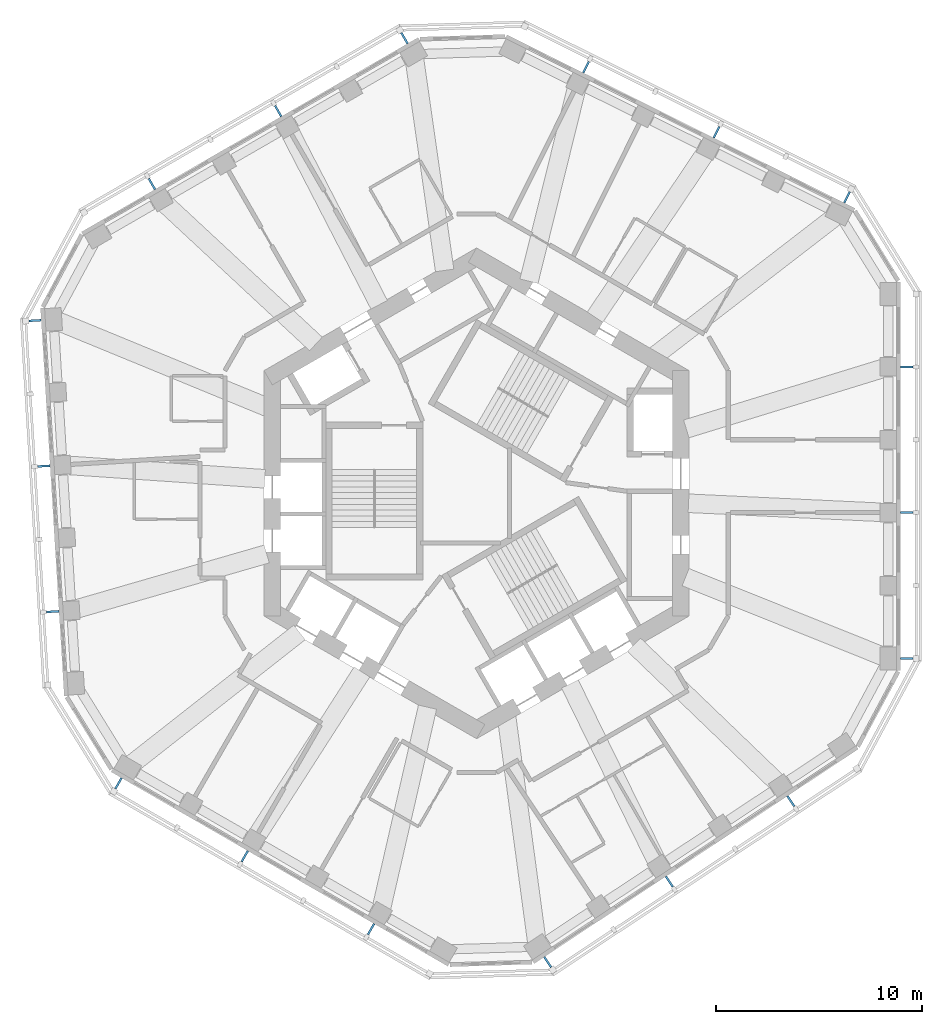
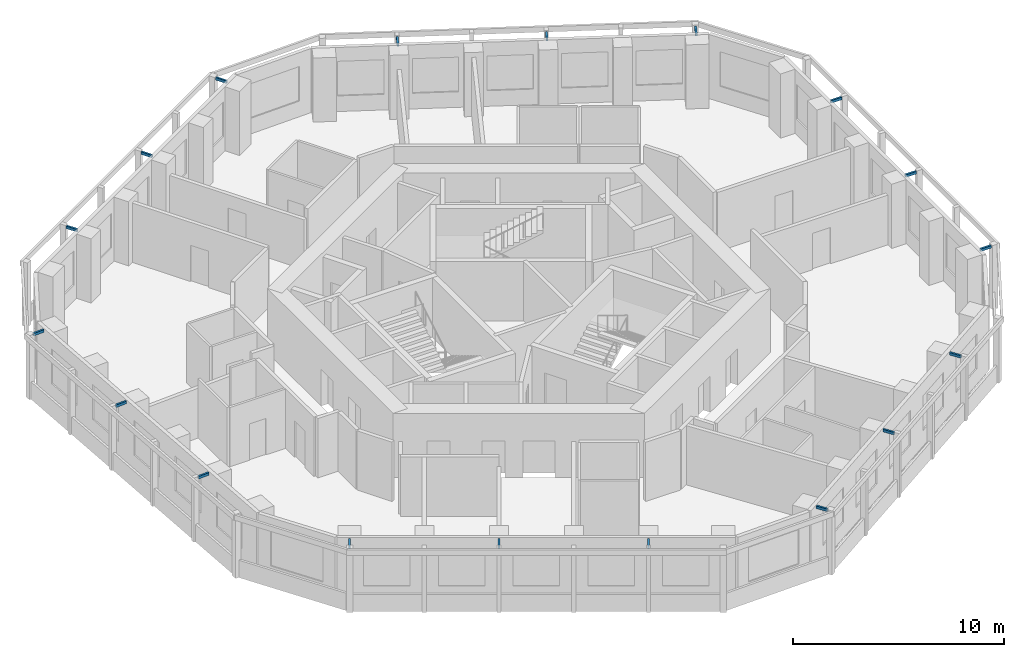
# One storey, part 10 of 11: 18 discrete accessories.
"""IFC4 building model written with IfcOpenShell, lengths in metres."""

from ifc_helpers import new_model, si_unit, direction, frame, origin, origin_2d, place, context, subcontext, project, spatial, rectangle, extrude, material, type_object, element, save


model = new_model("IFC4")

# Units and contexts
model_context = context("Model", 3, precision=1e-05, world=origin(), true_north=direction((0.0, 1.0)))
body_context = subcontext(model_context, "Body", "Model", "MODEL_VIEW")
ifc_project = project(units=[si_unit("LENGTHUNIT", "METRE"), si_unit("AREAUNIT", "SQUARE_METRE"), si_unit("VOLUMEUNIT", "CUBIC_METRE"), si_unit("PLANEANGLEUNIT", "RADIAN"), si_unit("MASSUNIT", "GRAM", prefix="KILO")], contexts=[model_context])

# Site, building, storey
site_placement = place(None, origin())
site = spatial("IfcSite", under=ifc_project, at=site_placement, CompositionType="ELEMENT")
building_placement = place(site_placement, origin())
building = spatial("IfcBuilding", under=site, at=building_placement, Name="Vanh Sen Convention Tower", CompositionType="ELEMENT")
storey_placement = place(building_placement, frame((0.0, 0.0, 229.10009765625)))
storey = spatial("IfcBuildingStorey", under=building, at=storey_placement, Name="L56", CompositionType="ELEMENT", Elevation=229.10009765625)

# Discrete accessories
ifc_material = material(Name="Steel S355", Category="steel")
discrete_accessory_type = type_object("IfcDiscreteAccessoryType", Name="Fin bracket 100 x 150", PredefinedType="BRACKET", material=ifc_material)
for number, where, z_axis, x_axis, name in (
    (1, (20.85009765625, -8.002685546875, 3.5), (0.0, 0.0, 1.0), (1.0, 0.0, 0.0), "Fin bracket E-1 L56"),
    (2, (20.85009765625, -0.935546875, 3.5), (0.0, 0.0, 1.0), (1.0, 0.0, 0.0), "Fin bracket E-3 L56"),
    (3, (20.85009765625, 6.131591796875, 3.5), (0.0, 0.0, 1.0), (1.0, 0.0, 0.0), "Fin bracket E-5 L56"),
    (4, (17.953125, 14.3466796875, 3.5), (0.0, 0.0, 1.0), (0.44619781311, 0.894934361602, 0.0), "Fin bracket NE-1 L56"),
    (5, (11.62841796875, 17.5, 3.5), (0.0, 0.0, 1.0), (0.44619781311, 0.894934361602, 0.0), "Fin bracket NE-3 L56"),
    (6, (5.3037109375, 20.653564453125, 3.5), (0.0, 0.0, 1.0), (0.44619781311, 0.894934361602, 0.0), "Fin bracket NE-5 L56"),
    (7, (-3.494384765625, 22.05810546875, 3.5), (0.0, 0.0, 1.0), (-0.5, 0.866025403784, 0.0), "Fin bracket NW-1 L56"),
    (8, (-9.61474609375, 18.5244140625, 3.5), (0.0, 0.0, 1.0), (-0.5, 0.866025403784, 0.0), "Fin bracket NW-3 L56"),
    (9, (-15.735107421875, 14.99072265625, 3.5), (0.0, 0.0, 1.0), (-0.5, 0.866025403784, 0.0), "Fin bracket NW-5 L56"),
    (10, (-21.401123046875, 8.37451171875, 3.5), (0.0, 0.0, 1.0), (-0.998134798422, -0.061048539535, 0.0), "Fin bracket W-1 L56"),
    (11, (-20.9697265625, 1.3203125, 3.5), (0.0, 0.0, 1.0), (-0.998134798422, -0.061048539535, 0.0), "Fin bracket W-3 L56"),
    (12, (-20.538330078125, -5.733642578125, 3.5), (0.0, 0.0, 1.0), (-0.998134798422, -0.061048539535, 0.0), "Fin bracket W-5 L56"),
    (13, (-17.355712890625, -14.05517578125, 3.5), (0.0, 0.0, 1.0), (-0.5, -0.866025403784, 0.0), "Fin bracket SW-1 L56"),
    (14, (-11.235107421875, -17.5888671875, 3.5), (0.0, 0.0, 1.0), (-0.5, -0.866025403784, 0.0), "Fin bracket SW-3 L56"),
    (15, (-5.11474609375, -21.12255859375, 3.5), (0.0, 0.0, 1.0), (-0.5, -0.866025403784, 0.0), "Fin bracket SW-5 L56"),
    (16, (3.447998046875, -22.72119140625, 3.5), (0.0, 0.0, 1.0), (0.551936985312, -0.833885822067, 0.0), "Fin bracket SE-1 L56"),
    (17, (9.34130859375, -18.820556640625, 3.5), (0.0, 0.0, 1.0), (0.551936985312, -0.833885822067, 0.0), "Fin bracket SE-3 L56"),
    (18, (15.234619140625, -14.919921875, 3.5), (0.0, 0.0, 1.0), (0.551936985312, -0.833885822067, 0.0), "Fin bracket SE-5 L56"),
):
    element("IfcDiscreteAccessory", number, at=place(storey_placement, frame(where, z_axis=z_axis, x_axis=x_axis)), inside=storey, type_object=discrete_accessory_type, Name=name, PredefinedType="BRACKET", context=body_context, shape_type="SweptSolid", body=[
        extrude(rectangle(XDim=0.60009765625, YDim=0.10009765625, at=origin_2d()), origin(), (0.0, 0.0, 1.0), 0.14990234375),
    ])

save(model, "model.ifc")
